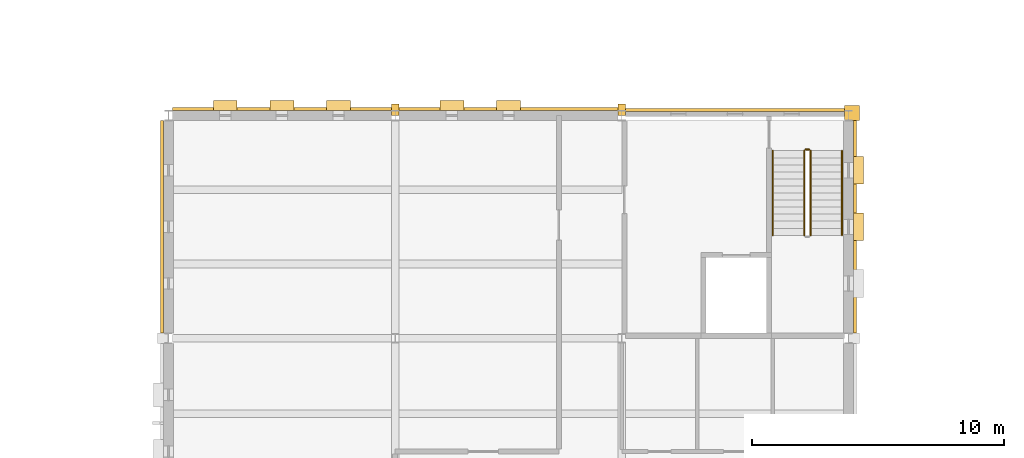
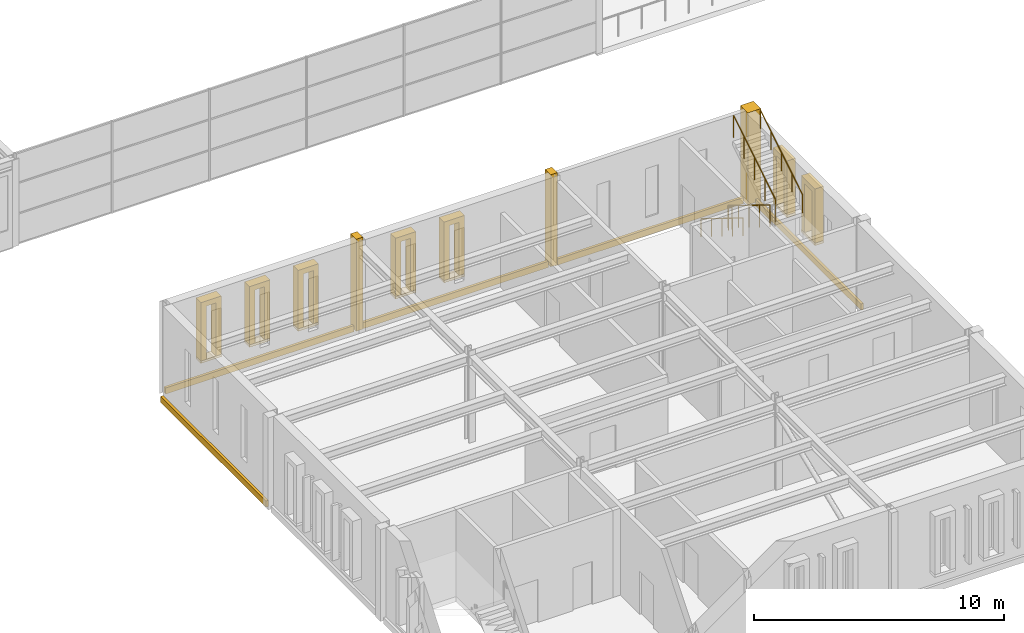
# One storey, part 92 of 111: 22 coverings, 5 railings.
"""IFC4 building model written with IfcOpenShell, lengths in metres."""

from ifc_helpers import new_model, si_unit, direction, frame, origin, origin_2d, place, context, subcontext, project, spatial, polyline, rectangle, circle, outline, extrude, material, layer, layer_set, type_object, element, save


model = new_model("IFC4")

# Units and contexts
model_context = context("Model", 3, precision=1e-05, world=origin(), true_north=direction((0.0, 1.0)))
body_context = subcontext(model_context, "Body", "Model", "MODEL_VIEW")
ifc_project = project(units=[si_unit("LENGTHUNIT", "METRE"), si_unit("AREAUNIT", "SQUARE_METRE"), si_unit("VOLUMEUNIT", "CUBIC_METRE"), si_unit("PLANEANGLEUNIT", "RADIAN"), si_unit("MASSUNIT", "GRAM", prefix="KILO")], contexts=[model_context])

# Site, building, storey
site_placement = place(None, origin())
site = spatial("IfcSite", under=ifc_project, at=site_placement, CompositionType="ELEMENT")
building_placement = place(site_placement, origin())
building = spatial("IfcBuilding", under=site, at=building_placement, Name="Kallimachos Central Library", CompositionType="ELEMENT")
storey_placement = place(building_placement, frame((0.0, 0.0, 14.39990234375)))
storey = spatial("IfcBuildingStorey", under=building, at=storey_placement, Name="L03", CompositionType="ELEMENT", Elevation=14.39990234375)

# Railings
ifc_material_1 = material(Name="Steel S355J2", Category="steel")
railing_type_1 = type_object("IfcRailingType", Name="Stair handrail 900", PredefinedType="HANDRAIL", material=ifc_material_1)
railing_1_placement = place(storey_placement, frame((98.5, 43.449951171875, 0.173095703125)))
element("IfcRailing", 1, at=railing_1_placement, inside=storey, type_object=railing_type_1, Name="L03 ST14 stair handrail 1", PredefinedType="HANDRAIL", context=body_context, shape_type="SweptSolid", body=[
    extrude(circle(Radius=0.02392578125, at=origin_2d()), frame((0.0, 0.0, 0.8759765625), z_axis=(0.0, -0.850606129759, 0.525803396734), x_axis=(1.0, 0.0, 0.0)), (0.0, 0.0, 1.0), 3.949951171875),
    extrude(circle(Radius=0.02099609375, at=origin_2d()), origin(), (0.0, 0.0, 1.0), 0.851806640625),
    extrude(circle(Radius=0.02099609375, at=origin_2d()), frame((0.0, -0.83984375, 0.519287109375)), (0.0, 0.0, 1.0), 0.851806640625),
    extrude(circle(Radius=0.02099609375, at=origin_2d()), frame((0.0, -1.679931640625, 1.03857421875)), (0.0, 0.0, 1.0), 0.851806640625),
    extrude(circle(Radius=0.02099609375, at=origin_2d()), frame((0.0, -2.52001953125, 1.5576171875)), (0.0, 0.0, 1.0), 0.851806640625),
    extrude(circle(Radius=0.02099609375, at=origin_2d()), frame((0.0, -3.35986328125, 2.076904296875)), (0.0, 0.0, 1.0), 0.851806640625),
])
railing_2_placement = place(storey_placement, frame((101.25, 40.090087890625, 2.423095703125)))
element("IfcRailing", 2, at=railing_2_placement, inside=storey, type_object=railing_type_1, Name="L03 ST14 stair handrail 2", PredefinedType="HANDRAIL", context=body_context, shape_type="SweptSolid", body=[
    extrude(circle(Radius=0.02392578125, at=origin_2d()), frame((0.0, 0.0, 0.8759765625), z_axis=(0.0, 0.850606129759, 0.525803396734), x_axis=(-1.0, 0.0, 0.0)), (0.0, 0.0, 1.0), 3.949951171875),
    extrude(circle(Radius=0.02099609375, at=origin_2d()), origin(), (0.0, 0.0, 1.0), 0.851806640625),
    extrude(circle(Radius=0.02099609375, at=origin_2d()), frame((0.0, 0.83984375, 0.519287109375)), (0.0, 0.0, 1.0), 0.851806640625),
    extrude(circle(Radius=0.02099609375, at=origin_2d()), frame((0.0, 1.679931640625, 1.03857421875)), (0.0, 0.0, 1.0), 0.851806640625),
    extrude(circle(Radius=0.02099609375, at=origin_2d()), frame((0.0, 2.52001953125, 1.5576171875)), (0.0, 0.0, 1.0), 0.851806640625),
    extrude(circle(Radius=0.02099609375, at=origin_2d()), frame((0.0, 3.35986328125, 2.076904296875)), (0.0, 0.0, 1.0), 0.851806640625),
])

# Coverings
ifc_material_2 = material(Name="Pentelic marble pilaster", Category="masonry")
ifc_layer_1 = layer(ifc_material_2, 0.25)
ifc_layer_set_1 = layer_set([ifc_layer_1], Name="Stone pilaster 250")
covering_type_1 = type_object("IfcCoveringType", Name="Stone pilaster 250", PredefinedType="CLADDING", material=ifc_layer_set_1)
for number, where, z_axis, x_axis, name in (
    (3, (83.5, 45.074951171875, 0.0), (0.0, 0.0, 1.0), (1.0, 0.0, 0.0), "Stone pilaster 250 -L03-013"),
    (4, (92.5, 45.074951171875, 0.0), (0.0, 0.0, 1.0), (1.0, 0.0, 0.0), "Stone pilaster 250 -L03-014"),
):
    element("IfcCovering", number, at=place(storey_placement, frame(where, z_axis=z_axis, x_axis=x_axis)), inside=storey, type_object=covering_type_1, Name=name, PredefinedType="CLADDING", context=body_context, shape_type="SweptSolid", body=[
        extrude(rectangle(XDim=0.300048828125, YDim=0.449951171875, at=origin_2d()), origin(), (0.0, 0.0, 1.0), 4.5),
    ])
covering_placement = place(storey_placement, frame((101.64990234375, 44.949951171875, 0.0), z_axis=(0.0, 0.0, 1.0), x_axis=(1.0, 0.0, 0.0)))
element("IfcCovering", 5, at=covering_placement, inside=storey, type_object=covering_type_1, Name="Stone pilaster 250 corner", PredefinedType="CLADDING", context=body_context, shape_type="SweptSolid", body=[
    extrude(rectangle(XDim=0.60009765625, YDim=0.60009765625, at=origin_2d()), origin(), (0.0, 0.0, 1.0), 4.5),
])
ifc_material_3 = material(Name="Pentelic marble string course", Category="masonry")
ifc_layer_2 = layer(ifc_material_3, 0.1201171875)
ifc_layer_set_2 = layer_set([ifc_layer_2], Name="Stone string course 300")
covering_type_2 = type_object("IfcCoveringType", Name="Stone string course 300", PredefinedType="MOLDING", material=ifc_layer_set_2)
for number, where, z_axis, x_axis, name in (
    (6, (79.0, 45.110107421875, -0.14990234375), (0.0, 0.0, 1.0), (1.0, 0.0, 0.0), "Stone string course 300 -L03-013"),
    (7, (88.0, 45.110107421875, -0.14990234375), (0.0, 0.0, 1.0), (1.0, 0.0, 0.0), "Stone string course 300 -L03-014"),
    (8, (97.0, 45.06005859375, -0.14990234375), (0.0, 0.0, 1.0), (1.0, 0.0, 0.0), "Stone string course 300 -L03-015"),
):
    element("IfcCovering", number, at=place(storey_placement, frame(where, z_axis=z_axis, x_axis=x_axis)), inside=storey, type_object=covering_type_2, Name=name, PredefinedType="MOLDING", context=body_context, shape_type="SweptSolid", body=[
        extrude(rectangle(XDim=8.699951171875, YDim=0.1201171875, at=origin_2d()), origin(), (0.0, 0.0, 1.0), 0.300048828125),
    ])
for number, where, z_axis, x_axis, name in (
    (9, (74.239990234375, 40.425048828125, -0.14990234375), (0.0, 0.0, 1.0), (1.0, 0.0, 0.0), "Stone string course 300 -L03-018"),
    (10, (101.760009765625, 40.425048828125, -0.14990234375), (0.0, 0.0, 1.0), (1.0, 0.0, 0.0), "Stone string course 300 -L03-021"),
):
    element("IfcCovering", number, at=place(storey_placement, frame(where, z_axis=z_axis, x_axis=x_axis)), inside=storey, type_object=covering_type_2, Name=name, PredefinedType="MOLDING", context=body_context, shape_type="SweptSolid", body=[
        extrude(rectangle(XDim=0.1201171875, YDim=8.449951171875, at=origin_2d()), origin(), (0.0, 0.0, 1.0), 0.300048828125),
    ])
ifc_material_4 = material(Name="Pentelic marble window sill", Category="masonry")
ifc_layer_3 = layer(ifc_material_4, 0.39990234375)
ifc_layer_set_3 = layer_set([ifc_layer_3], Name="Tower window sill block 400")
covering_type_3 = type_object("IfcCoveringType", Name="Tower window sill block 400", PredefinedType="MOLDING", material=ifc_layer_set_3)
for number, where, z_axis, x_axis, name in (
    (11, (76.75, 45.25, 0.780029296875), (0.0, 0.0, 1.0), (1.0, 0.0, 0.0), "Tower window sill block"),
    (12, (79.0, 45.25, 0.780029296875), (0.0, 0.0, 1.0), (1.0, 0.0, 0.0), "Tower window sill block"),
    (13, (81.25, 45.25, 0.780029296875), (0.0, 0.0, 1.0), (1.0, 0.0, 0.0), "Tower window sill block"),
    (14, (85.75, 45.25, 0.780029296875), (0.0, 0.0, 1.0), (1.0, 0.0, 0.0), "Tower window sill block"),
    (15, (88.0, 45.25, 0.780029296875), (0.0, 0.0, 1.0), (1.0, 0.0, 0.0), "Tower window sill block"),
):
    element("IfcCovering", number, at=place(storey_placement, frame(where, z_axis=z_axis, x_axis=x_axis)), inside=storey, type_object=covering_type_3, Name=name, PredefinedType="MOLDING", context=body_context, shape_type="SweptSolid", body=[
        extrude(rectangle(XDim=0.949951171875, YDim=0.39990234375, at=origin_2d()), origin(), (0.0, 0.0, 1.0), 0.1201171875),
    ])
for number, where, z_axis, x_axis, name in (
    (16, (101.89990234375, 40.425048828125, 0.780029296875), (0.0, 0.0, 1.0), (1.0, 0.0, 0.0), "Tower window sill block"),
    (17, (101.89990234375, 42.675048828125, 0.780029296875), (0.0, 0.0, 1.0), (1.0, 0.0, 0.0), "Tower window sill block"),
):
    element("IfcCovering", number, at=place(storey_placement, frame(where, z_axis=z_axis, x_axis=x_axis)), inside=storey, type_object=covering_type_3, Name=name, PredefinedType="MOLDING", context=body_context, shape_type="SweptSolid", body=[
        extrude(rectangle(XDim=0.39990234375, YDim=1.10009765625, at=origin_2d()), origin(), (0.0, 0.0, 1.0), 0.1201171875),
    ])
ifc_material_5 = material(Name="Pentelic marble window surround", Category="masonry")
ifc_layer_4 = layer(ifc_material_5, 0.39990234375)
ifc_layer_set_4 = layer_set([ifc_layer_4], Name="Tower window surround 400")
covering_type_4 = type_object("IfcCoveringType", Name="Tower window surround 400", PredefinedType="MOLDING", material=ifc_layer_set_4)
for number, where, z_axis, x_axis, name in (
    (18, (76.27490234375, 45.449951171875, 0.900146484375), (0.0, 1.0, 0.0), (0.0, 0.0, 1.0), "Tower window surround -WIN-L03-009"),
    (19, (78.52490234375, 45.449951171875, 0.900146484375), (0.0, 1.0, 0.0), (0.0, 0.0, 1.0), "Tower window surround -WIN-L03-010"),
    (20, (80.77490234375, 45.449951171875, 0.900146484375), (0.0, 1.0, 0.0), (0.0, 0.0, 1.0), "Tower window surround -WIN-L03-011"),
    (21, (85.27490234375, 45.449951171875, 0.900146484375), (0.0, 1.0, 0.0), (0.0, 0.0, 1.0), "Tower window surround -WIN-L03-012"),
    (22, (87.52490234375, 45.449951171875, 0.900146484375), (0.0, 1.0, 0.0), (0.0, 0.0, 1.0), "Tower window surround -WIN-L03-013"),
):
    element("IfcCovering", number, at=place(storey_placement, frame(where, z_axis=z_axis, x_axis=x_axis)), inside=storey, type_object=covering_type_4, Name=name, PredefinedType="MOLDING", context=body_context, shape_type="SweptSolid", body=[
        extrude(outline(polyline([(0.0, 0.0), (2.849853515625, 0.0), (2.849853515625, 0.9501953125), (0.0, 0.9501953125), (0.0, 0.7001953125), (2.599853515625, 0.7001953125), (2.599853515625, 0.25), (0.0, 0.25), (0.0, 0.0)])), origin(), (0.0, 0.0, -1.0), 0.39990234375),
    ])
for number, where, z_axis, x_axis, name in (
    (23, (102.10009765625, 40.125, 0.900146484375), (1.0, 0.0, 0.0), (0.0, 0.0, 1.0), "Tower window surround -WIN-L03-030"),
    (24, (102.10009765625, 42.375, 0.900146484375), (1.0, 0.0, 0.0), (0.0, 0.0, 1.0), "Tower window surround -WIN-L03-031"),
):
    element("IfcCovering", number, at=place(storey_placement, frame(where, z_axis=z_axis, x_axis=x_axis)), inside=storey, type_object=covering_type_4, Name=name, PredefinedType="MOLDING", context=body_context, shape_type="SweptSolid", body=[
        extrude(outline(polyline([(0.0, 0.0), (2.39990234375, 0.0), (2.39990234375, -0.60009765625), (0.0, -0.60009765625), (0.0, -0.85009765625), (2.64990234375, -0.85009765625), (2.64990234375, 0.25), (0.0, 0.25), (0.0, 0.0)])), origin(), (0.0, 0.0, -1.0), 0.39990234375),
    ])

# Railings
ifc_material_6 = material(Name="Steel S355J2", Category="steel")
railing_type_2 = type_object("IfcRailingType", Name="Wrought-iron guard 1100", PredefinedType="GUARDRAIL", material=ifc_material_6)
railing_3_placement = place(storey_placement, frame((99.75, 43.449951171875, 0.173095703125)))
element("IfcRailing", 25, at=railing_3_placement, inside=storey, type_object=railing_type_2, Name="L03 ST14 stair guard 1", PredefinedType="GUARDRAIL", context=body_context, shape_type="SweptSolid", body=[
    extrude(circle(Radius=0.02392578125, at=origin_2d()), frame((0.0, 0.0, 1.076171875), z_axis=(0.0, -0.850606129759, 0.525803396734), x_axis=(1.0, 0.0, 0.0)), (0.0, 0.0, 1.0), 3.949951171875),
    extrude(circle(Radius=0.02099609375, at=origin_2d()), origin(), (0.0, 0.0, 1.0), 1.052001953125),
    extrude(circle(Radius=0.02099609375, at=origin_2d()), frame((0.0, -0.83984375, 0.519287109375)), (0.0, 0.0, 1.0), 1.052001953125),
    extrude(circle(Radius=0.02099609375, at=origin_2d()), frame((0.0, -1.679931640625, 1.03857421875)), (0.0, 0.0, 1.0), 1.052001953125),
    extrude(circle(Radius=0.02099609375, at=origin_2d()), frame((0.0, -2.52001953125, 1.5576171875)), (0.0, 0.0, 1.0), 1.052001953125),
    extrude(circle(Radius=0.02099609375, at=origin_2d()), frame((0.0, -3.35986328125, 2.076904296875)), (0.0, 0.0, 1.0), 1.052001953125),
])
railing_4_placement = place(storey_placement, frame((100.0, 40.090087890625, 2.423095703125)))
element("IfcRailing", 26, at=railing_4_placement, inside=storey, type_object=railing_type_2, Name="L03 ST14 stair guard 3", PredefinedType="GUARDRAIL", context=body_context, shape_type="SweptSolid", body=[
    extrude(circle(Radius=0.02392578125, at=origin_2d()), frame((0.0, 0.0, 1.076171875), z_axis=(0.0, 0.850606129759, 0.525803396734), x_axis=(-1.0, 0.0, 0.0)), (0.0, 0.0, 1.0), 3.949951171875),
    extrude(circle(Radius=0.02099609375, at=origin_2d()), origin(), (0.0, 0.0, 1.0), 1.052001953125),
    extrude(circle(Radius=0.02099609375, at=origin_2d()), frame((0.0, 0.83984375, 0.519287109375)), (0.0, 0.0, 1.0), 1.052001953125),
    extrude(circle(Radius=0.02099609375, at=origin_2d()), frame((0.0, 1.679931640625, 1.03857421875)), (0.0, 0.0, 1.0), 1.052001953125),
    extrude(circle(Radius=0.02099609375, at=origin_2d()), frame((0.0, 2.52001953125, 1.5576171875)), (0.0, 0.0, 1.0), 1.052001953125),
    extrude(circle(Radius=0.02099609375, at=origin_2d()), frame((0.0, 3.35986328125, 2.076904296875)), (0.0, 0.0, 1.0), 1.052001953125),
])
railing_5_placement = place(storey_placement, frame((99.800048828125, 43.5, 0.0)))
element("IfcRailing", 27, at=railing_5_placement, inside=storey, type_object=railing_type_2, Name="L03 ST14 stair guard 4", PredefinedType="GUARDRAIL", context=body_context, shape_type="SweptSolid", body=[
    extrude(circle(Radius=0.02392578125, at=origin_2d()), frame((0.0, 0.0, 1.076171875), z_axis=(1.0, 0.0, 0.0), x_axis=(0.0, 1.0, 0.0)), (0.0, 0.0, 1.0), 0.14990234375),
    extrude(circle(Radius=0.02099609375, at=origin_2d()), origin(), (0.0, 0.0, 1.0), 1.052001953125),
    extrude(circle(Radius=0.02099609375, at=origin_2d()), frame((0.14990234375, 0.0, 0.0)), (0.0, 0.0, 1.0), 1.052001953125),
])

save(model, "model.ifc")
